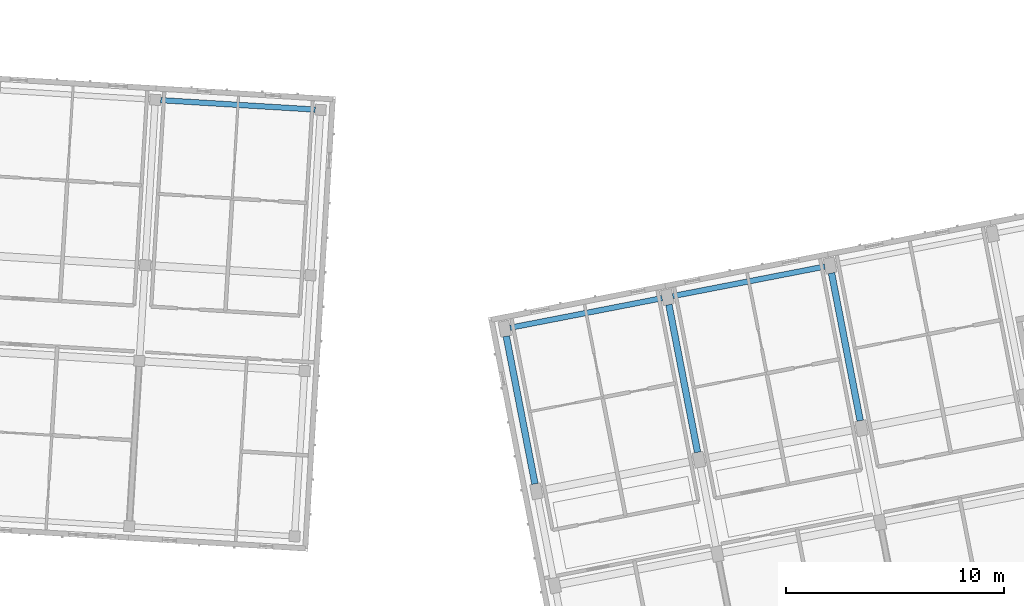
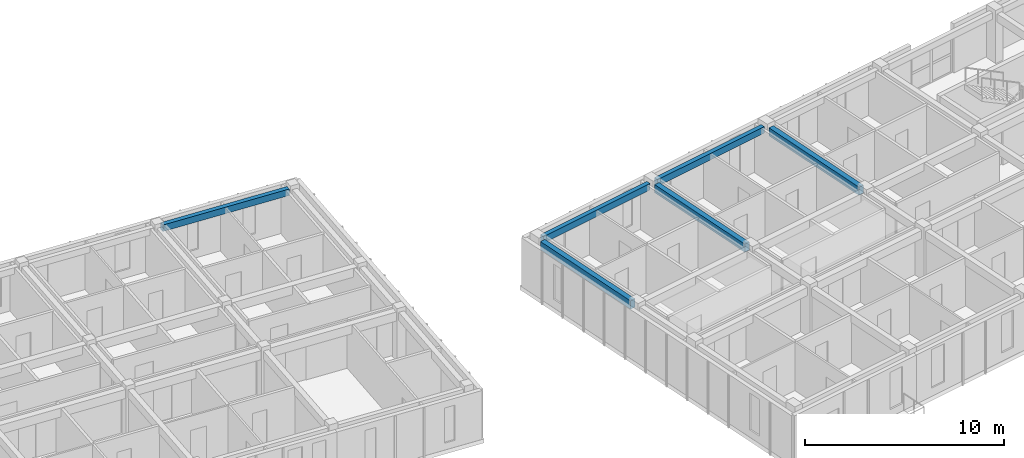
# One storey, part 6 of 66: 6 beams.
"""IFC4 building model written with IfcOpenShell, lengths in metres."""

from ifc_helpers import new_model, si_unit, direction, frame, origin, origin_2d, place, context, subcontext, project, spatial, rectangle, extrude, material, material_profile, profile_set, type_object, element, save


model = new_model("IFC4")

# Units and contexts
model_context = context("Model", 3, precision=1e-05, world=origin(), true_north=direction((0.0, 1.0)))
body_context = subcontext(model_context, "Body", "Model", "MODEL_VIEW")
ifc_project = project(units=[si_unit("LENGTHUNIT", "METRE"), si_unit("AREAUNIT", "SQUARE_METRE"), si_unit("VOLUMEUNIT", "CUBIC_METRE"), si_unit("PLANEANGLEUNIT", "RADIAN"), si_unit("MASSUNIT", "GRAM", prefix="KILO")], contexts=[model_context])

# Site, building, storey
site_placement = place(None, origin())
site = spatial("IfcSite", under=ifc_project, at=site_placement, CompositionType="ELEMENT")
building_placement = place(site_placement, origin())
building = spatial("IfcBuilding", under=site, at=building_placement, Name="Kestramere Prow Commons", CompositionType="ELEMENT")
storey_placement = place(building_placement, frame((0.0, 0.0, 14.89990234375)))
storey = spatial("IfcBuildingStorey", under=building, at=storey_placement, Name="L04", CompositionType="ELEMENT", Elevation=14.89990234375)

# Beams
ifc_material = material(Name="Precast concrete C40/50", Category="concrete")
ifc_material_profile_1 = material_profile(ifc_material, rectangle(XDim=0.300048828125, YDim=0.5, at=origin_2d()), Name="PC-BM 300x500")
ifc_profile_set_1 = profile_set([ifc_material_profile_1], Name="Precast concrete C40/50")
beam_type_1 = type_object("IfcBeamType", Name="BM-TIE-01 PC-BM 300x500", PredefinedType="BEAM", material=ifc_profile_set_1)
for number, where, z_axis, x_axis, name in (
    (1, (116.04345703125, 46.123046875, 2.75), (-0.190819465253, 0.981625148252, 0.0), (-0.981625148252, -0.190819465253, 0.0), "Block D L04 Transverse Beam 1-3"),
    (2, (123.50390625, 47.5732421875, 2.75), (-0.190819465253, 0.981625148252, 0.0), (-0.981625148252, -0.190819465253, 0.0), "Block D L04 Transverse Beam 2-3"),
    (3, (130.96435546875, 49.0234375, 2.75), (-0.190819465253, 0.981625148252, 0.0), (-0.981625148252, -0.190819465253, 0.0), "Block D L04 Transverse Beam 3-3"),
):
    element("IfcBeam", number, at=place(storey_placement, frame(where, z_axis=z_axis, x_axis=x_axis)), inside=storey, type_object=beam_type_1, Name=name, PredefinedType="BEAM", context=body_context, shape_type="SweptSolid", body=[
        extrude(rectangle(XDim=0.300048828125, YDim=0.5, at=origin_2d()), origin(), (0.0, 0.0, 1.0), 6.89990234375),
    ])
ifc_material_profile_2 = material_profile(ifc_material, rectangle(XDim=0.25, YDim=0.39990234375, at=origin_2d()), Name="PC-SP 250x400")
ifc_profile_set_2 = profile_set([ifc_material_profile_2], Name="Precast concrete C40/50")
beam_type_2 = type_object("IfcBeamType", Name="SP-EXT-01 PC-SP 250x400", PredefinedType="SPANDREL", material=ifc_profile_set_2)
for number, where, z_axis, x_axis, name in (
    (4, (98.875244140625, 63.728271484375, 2.800048828125), (0.998135568114, -0.061035953884, 0.0), (0.061035953884, 0.998135568114, 0.0), "Block C L04 Longitudinal Beam 4-6"),
    (5, (114.905517578125, 53.28759765625, 2.800048828125), (0.981627020401, 0.190809834175, 0.0), (-0.190809834175, 0.981627020401, 0.0), "Block D L04 Longitudinal Beam 4-1"),
    (6, (122.365966796875, 54.73779296875, 2.800048828125), (0.981627020401, 0.190809834175, 0.0), (-0.190809834175, 0.981627020401, 0.0), "Block D L04 Longitudinal Beam 4-2"),
):
    element("IfcBeam", number, at=place(storey_placement, frame(where, z_axis=z_axis, x_axis=x_axis)), inside=storey, type_object=beam_type_2, Name=name, PredefinedType="SPANDREL", context=body_context, shape_type="SweptSolid", body=[
        extrude(rectangle(XDim=0.25, YDim=0.39990234375, at=origin_2d()), origin(), (0.0, 0.0, 1.0), 7.099853515625),
    ])

save(model, "model.ifc")
